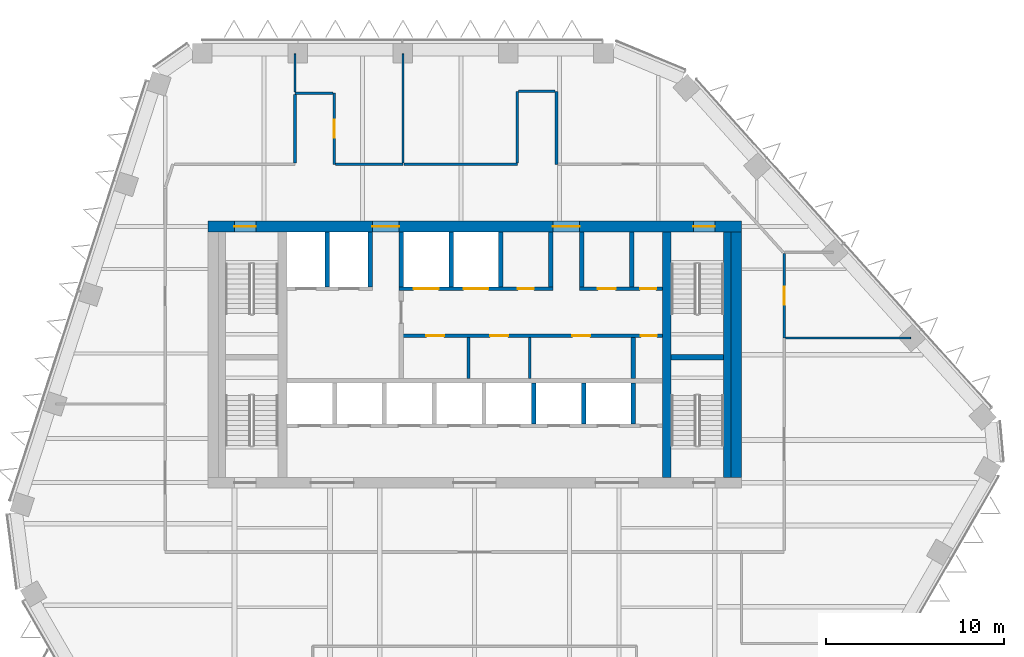
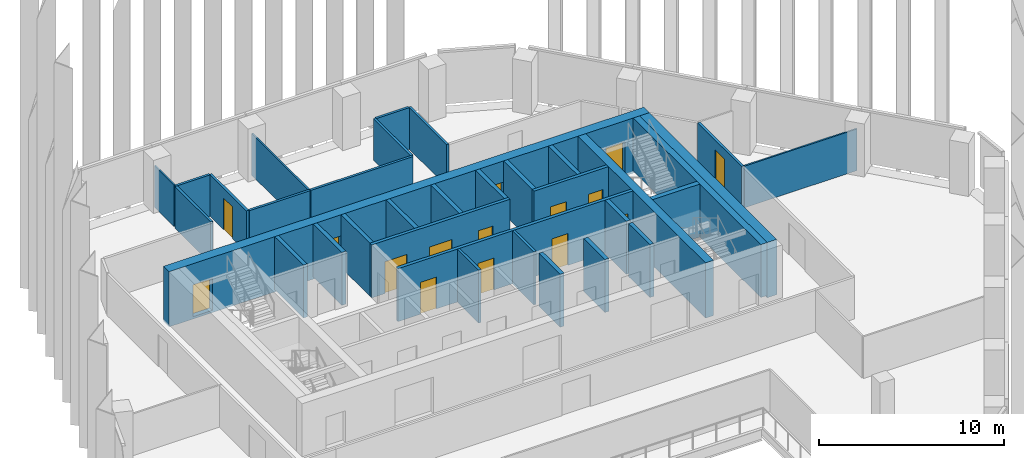
# One storey, part 10 of 18: 34 walls, 15 doors, 15 openings.
"""IFC4 building model written with IfcOpenShell, lengths in metres."""

from ifc_helpers import new_model, si_unit, direction, frame, frame_2d, origin, place, context, subcontext, project, spatial, rectangle, extrude, material, layer, layer_set, type_object, element, fill, save


model = new_model("IFC4")

# Units and contexts
model_context = context("Model", 3, precision=1e-05, world=origin(), true_north=direction((0.0, 1.0)))
body_context = subcontext(model_context, "Body", "Model", "MODEL_VIEW")
ifc_project = project(units=[si_unit("LENGTHUNIT", "METRE"), si_unit("AREAUNIT", "SQUARE_METRE"), si_unit("VOLUMEUNIT", "CUBIC_METRE"), si_unit("PLANEANGLEUNIT", "RADIAN"), si_unit("MASSUNIT", "GRAM", prefix="KILO")], contexts=[model_context])

# Site, building, storey
site_placement = place(None, origin())
site = spatial("IfcSite", under=ifc_project, at=site_placement, CompositionType="ELEMENT")
building_placement = place(site_placement, origin())
building = spatial("IfcBuilding", under=site, at=building_placement, Name="Isthmus Gate Tower", CompositionType="ELEMENT")
storey_placement = place(building_placement, frame((0.0, 0.0, 238.199951171875)))
storey = spatial("IfcBuildingStorey", under=building, at=storey_placement, Name="L60", CompositionType="ELEMENT", Elevation=238.199951171875)

# Wall, opening, door
ifc_material_1 = material(Name="Gypsum board on steel studs, fire-rated", Category="steel")
ifc_layer_1 = layer(ifc_material_1, 0.14990234375)
ifc_layer_set_1 = layer_set([ifc_layer_1], Name="CORRIDOR WALL 150 60 MIN")
wall_type_1 = type_object("IfcWallType", Name="CORRIDOR WALL 150 60 MIN", PredefinedType="PARTITIONING", material=ifc_layer_set_1)
wall_1_placement = place(storey_placement, frame((-7.89990234375, 22.199951171875, 0.0), z_axis=(0.0, 0.0, 1.0), x_axis=(0.0, -1.0, 0.0)))
wall_1 = element("IfcWall", 1, at=wall_1_placement, inside=storey, type_object=wall_type_1, Name="L60 Corridor Wall 150 60 Min", PredefinedType="PARTITIONING", context=body_context, shape_type="SweptSolid", body=[
    extrude(rectangle(XDim=4.0, YDim=0.14990234375, at=frame_2d((2.0, 0.0))), origin(), (0.0, 0.0, 1.0), 2.750732421875),
])
opening_1_placement = place(wall_1_placement, frame((1.5, 0.0, 0.0)))
opening_1 = element("IfcOpeningElement", 2, at=opening_1_placement, cuts=wall_1, Name="Opening DT-T5C-01", PredefinedType="OPENING", context=body_context, shape_type="SweptSolid", body=[
    extrude(rectangle(XDim=1.0, YDim=2.10009765625, at=frame_2d((0.5, 1.050048828125))), frame((0.0, 0.0849609375, 0.0), z_axis=(0.0, -1.0, 0.0), x_axis=(1.0, 0.0, 0.0)), (0.0, 0.0, 1.0), 0.169921875),
])
ifc_material_2 = material(Name="Solid core timber door leaf, fire-rated", Category="wood")
door_type_1 = type_object("IfcDoorType", Name="FIRE DOOR ROOM 1000 X 2100 60 MIN", OperationType="SINGLE_SWING_LEFT", PredefinedType="DOOR", material=ifc_material_2)
door_1_placement = place(opening_1_placement, origin())
door_1 = element("IfcDoor", 3, at=door_1_placement, inside=storey, type_object=door_type_1, Name="L60 room door", OperationType="SINGLE_SWING_RIGHT", OverallHeight=2.10009765625, OverallWidth=1.0, PredefinedType="DOOR", context=body_context, shape_type="SweptSolid", body=[
    extrude(rectangle(XDim=1.0, YDim=2.10009765625, at=frame_2d((0.5, 1.050048828125))), frame((0.0, 0.02490234375, 0.0), z_axis=(0.0, -1.0, 0.0), x_axis=(1.0, 0.0, 0.0)), (0.0, 0.0, 1.0), 0.050048828125),
])
fill(opening_1, door_1)

# Wall
wall_2_placement = place(storey_placement, frame((4.60009765625, 22.300048828125, 0.0), z_axis=(0.0, 0.0, 1.0), x_axis=(0.0, -1.0, 0.0)))
element("IfcWall", 4, at=wall_2_placement, inside=storey, type_object=wall_type_1, Name="L60 Corridor Wall 150 60 Min", PredefinedType="PARTITIONING", context=body_context, shape_type="SweptSolid", body=[
    extrude(rectangle(XDim=4.10009765625, YDim=0.14990234375, at=frame_2d((2.050048828125, 0.0))), origin(), (0.0, 0.0, 1.0), 2.750732421875),
])

# Wall, opening, door
wall_3_placement = place(storey_placement, frame((17.39990234375, 13.18603515625, 0.0), z_axis=(0.0, 0.0, 1.0), x_axis=(0.0, -1.0, 0.0)))
wall_3 = element("IfcWall", 5, at=wall_3_placement, inside=storey, type_object=wall_type_1, Name="L60 Corridor Wall 150 60 Min", PredefinedType="PARTITIONING", context=body_context, shape_type="SweptSolid", body=[
    extrude(rectangle(XDim=4.758056640625, YDim=0.14990234375, at=frame_2d((2.37890625, 0.0))), origin(), (0.0, 0.0, 1.0), 2.750732421875),
])
opening_2_placement = place(wall_3_placement, frame((1.87890625, 0.0, 0.0)))
opening_2 = element("IfcOpeningElement", 6, at=opening_2_placement, cuts=wall_3, Name="Opening DT-T5C-04", PredefinedType="OPENING", context=body_context, shape_type="SweptSolid", body=[
    extrude(rectangle(XDim=1.0, YDim=2.10009765625, at=frame_2d((0.5, 1.050048828125))), frame((0.0, 0.0849609375, 0.0), z_axis=(0.0, -1.0, 0.0), x_axis=(1.0, 0.0, 0.0)), (0.0, 0.0, 1.0), 0.169921875),
])
door_2_placement = place(opening_2_placement, origin())
door_2 = element("IfcDoor", 7, at=door_2_placement, inside=storey, type_object=door_type_1, Name="L60 room door", OperationType="SINGLE_SWING_RIGHT", OverallHeight=2.10009765625, OverallWidth=1.0, PredefinedType="DOOR", context=body_context, shape_type="SweptSolid", body=[
    extrude(rectangle(XDim=1.0, YDim=2.10009765625, at=frame_2d((0.5, 1.050048828125))), frame((0.0, 0.02490234375, 0.0), z_axis=(0.0, -1.0, 0.0), x_axis=(1.0, 0.0, 0.0)), (0.0, 0.0, 1.0), 0.050048828125),
])
fill(opening_2, door_2)

# Walls
wall_4_placement = place(storey_placement, frame((-10.10009765625, 22.199951171875, 0.0), z_axis=(0.0, 0.0, 1.0), x_axis=(1.0, 0.0, 0.0)))
element("IfcWall", 8, at=wall_4_placement, inside=storey, type_object=wall_type_1, Name="L60 Corridor Wall 150 60 Min", PredefinedType="PARTITIONING", context=body_context, shape_type="SweptSolid", body=[
    extrude(rectangle(XDim=2.125, YDim=0.14990234375, at=frame_2d((1.0625, 0.0))), origin(), (0.0, 0.0, 1.0), 2.750732421875),
])
wall_5_placement = place(storey_placement, frame((-7.824951171875, 18.199951171875, 0.0), z_axis=(0.0, 0.0, 1.0), x_axis=(1.0, 0.0, 0.0)))
element("IfcWall", 9, at=wall_5_placement, inside=storey, type_object=wall_type_1, Name="L60 Corridor Wall 150 60 Min", PredefinedType="PARTITIONING", context=body_context, shape_type="SweptSolid", body=[
    extrude(rectangle(XDim=3.794921875, YDim=0.14990234375, at=frame_2d((1.8974609375, 0.0))), origin(), (0.0, 0.0, 1.0), 2.750732421875),
])
wall_6_placement = place(storey_placement, frame((-10.10009765625, 18.27490234375, 0.0), z_axis=(0.0, 0.0, 1.0), x_axis=(0.0, 1.0, 0.0)))
element("IfcWall", 10, at=wall_6_placement, inside=storey, type_object=wall_type_1, Name="L60 Corridor Wall 150 60 Min", PredefinedType="PARTITIONING", context=body_context, shape_type="SweptSolid", body=[
    extrude(rectangle(XDim=3.85009765625, YDim=0.14990234375, at=frame_2d((1.925048828125, 0.0))), origin(), (0.0, 0.0, 1.0), 2.750732421875),
])
wall_7_placement = place(storey_placement, frame((-3.97998046875, 18.199951171875, 0.0), z_axis=(0.0, 0.0, 1.0), x_axis=(1.0, 0.0, 0.0)))
element("IfcWall", 11, at=wall_7_placement, inside=storey, type_object=wall_type_1, Name="L60 Corridor Wall 150 60 Min", PredefinedType="PARTITIONING", context=body_context, shape_type="SweptSolid", body=[
    extrude(rectangle(XDim=6.3798828125, YDim=0.14990234375, at=frame_2d((3.18994140625, 0.0))), origin(), (0.0, 0.0, 1.0), 2.750732421875),
])
wall_8_placement = place(storey_placement, frame((2.39990234375, 18.27490234375, 0.0), z_axis=(0.0, 0.0, 1.0), x_axis=(0.0, 1.0, 0.0)))
element("IfcWall", 12, at=wall_8_placement, inside=storey, type_object=wall_type_1, Name="L60 Corridor Wall 150 60 Min", PredefinedType="PARTITIONING", context=body_context, shape_type="SweptSolid", body=[
    extrude(rectangle(XDim=4.025146484375, YDim=0.14990234375, at=frame_2d((2.0126953125, 0.0))), origin(), (0.0, 0.0, 1.0), 2.750732421875),
])
wall_9_placement = place(storey_placement, frame((2.47509765625, 22.300048828125, 0.0), z_axis=(0.0, 0.0, 1.0), x_axis=(1.0, 0.0, 0.0)))
element("IfcWall", 13, at=wall_9_placement, inside=storey, type_object=wall_type_1, Name="L60 Corridor Wall 150 60 Min", PredefinedType="PARTITIONING", context=body_context, shape_type="SweptSolid", body=[
    extrude(rectangle(XDim=2.0498046875, YDim=0.14990234375, at=frame_2d((1.02490234375, 0.0))), origin(), (0.0, 0.0, 1.0), 2.750732421875),
])
ifc_material_3 = material(Name="Concrete f'c 50 MPa", Category="concrete")
ifc_layer_2 = layer(ifc_material_3, 0.5)
ifc_layer_set_2 = layer_set([ifc_layer_2], Name="RC CORE SPINE WALL 500 F'C 50")
wall_type_2 = type_object("IfcWallType", Name="RC CORE SPINE WALL 500 F'C 50", PredefinedType="SOLIDWALL", material=ifc_layer_set_2)
wall_10_placement = place(storey_placement, frame((10.800048828125, 0.60009765625, -0.14990234375), z_axis=(0.0, 0.0, 1.0), x_axis=(0.0, 1.0, 0.0)))
element("IfcWall", 14, at=wall_10_placement, inside=storey, type_object=wall_type_2, Name="str-corewall-L60-SPE", PredefinedType="SOLIDWALL", context=body_context, shape_type="SweptSolid", body=[
    extrude(rectangle(XDim=13.7998046875, YDim=0.5, at=frame_2d((6.89990234375, 0.0))), origin(), (0.0, 0.0, 1.0), 3.64990234375),
])

# Wall, openings, doors
ifc_material_4 = material(Name="Concrete f'c 50 MPa", Category="concrete")
ifc_layer_3 = layer(ifc_material_4, 0.60009765625)
ifc_layer_set_3 = layer_set([ifc_layer_3], Name="RC CORE WALL 600 F'C 50")
wall_type_3 = type_object("IfcWallType", Name="RC CORE WALL 600 F'C 50", PredefinedType="SOLIDWALL", material=ifc_layer_set_3)
wall_11_placement = place(storey_placement, frame((-15.0, 14.699951171875, -0.14990234375), z_axis=(0.0, 0.0, 1.0), x_axis=(1.0, 0.0, 0.0)))
wall_11 = element("IfcWall", 15, at=wall_11_placement, inside=storey, type_object=wall_type_3, Name="str-corewall-L60-N", PredefinedType="SOLIDWALL", context=body_context, shape_type="SweptSolid", body=[
    extrude(rectangle(XDim=30.0, YDim=0.60009765625, at=frame_2d((15.0, 0.0))), origin(), (0.0, 0.0, 1.0), 3.64990234375),
])
opening_3_placement = place(wall_11_placement, frame((9.25, 0.0, 0.14990234375)))
opening_3 = element("IfcOpeningElement", 16, at=opening_3_placement, cuts=wall_11, Name="Opening DC-A18-13", PredefinedType="OPENING", context=body_context, shape_type="SweptSolid", body=[
    extrude(rectangle(XDim=1.5, YDim=2.10009765625, at=frame_2d((0.75, 1.050048828125))), frame((0.0, 0.31005859375, 0.0), z_axis=(0.0, -1.0, 0.0), x_axis=(1.0, 0.0, 0.0)), (0.0, 0.0, 1.0), 0.6201171875),
])
opening_4_placement = place(wall_11_placement, frame((19.39990234375, 0.0, 0.14990234375)))
opening_4 = element("IfcOpeningElement", 17, at=opening_4_placement, cuts=wall_11, Name="Opening DC-A18-14", PredefinedType="OPENING", context=body_context, shape_type="SweptSolid", body=[
    extrude(rectangle(XDim=1.5, YDim=2.10009765625, at=frame_2d((0.75, 1.050048828125))), frame((0.0, 0.31005859375, 0.0), z_axis=(0.0, -1.0, 0.0), x_axis=(1.0, 0.0, 0.0)), (0.0, 0.0, 1.0), 0.6201171875),
])
opening_5_placement = place(wall_11_placement, frame((1.5, 0.0, 0.14990234375)))
opening_5 = element("IfcOpeningElement", 18, at=opening_5_placement, cuts=wall_11, Name="Opening DC-A18-15", PredefinedType="OPENING", context=body_context, shape_type="SweptSolid", body=[
    extrude(rectangle(XDim=1.199951171875, YDim=2.10009765625, at=frame_2d((0.60009765625, 1.050048828125))), frame((0.0, 0.31005859375, 0.0), z_axis=(0.0, -1.0, 0.0), x_axis=(1.0, 0.0, 0.0)), (0.0, 0.0, 1.0), 0.6201171875),
])
opening_6_placement = place(wall_11_placement, frame((27.300048828125, 0.0, 0.14990234375)))
opening_6 = element("IfcOpeningElement", 19, at=opening_6_placement, cuts=wall_11, Name="Opening DC-A18-16", PredefinedType="OPENING", context=body_context, shape_type="SweptSolid", body=[
    extrude(rectangle(XDim=1.199951171875, YDim=2.10009765625, at=frame_2d((0.60009765625, 1.050048828125))), frame((0.0, 0.31005859375, 0.0), z_axis=(0.0, -1.0, 0.0), x_axis=(1.0, 0.0, 0.0)), (0.0, 0.0, 1.0), 0.6201171875),
])
ifc_material_5 = material(Name="Steel door leaf, fire-rated", Category="steel")
door_type_2 = type_object("IfcDoorType", Name="LOBBY FIRE DOOR 1500 X 2100 60 MIN", OperationType="DOUBLE_DOOR_SINGLE_SWING", PredefinedType="DOOR", material=ifc_material_5)
door_3_placement = place(opening_4_placement, origin())
door_3 = element("IfcDoor", 20, at=door_3_placement, inside=storey, type_object=door_type_2, Name="Lobby Door PN-E", OperationType="DOUBLE_DOOR_SINGLE_SWING", OverallHeight=2.10009765625, OverallWidth=1.5, PredefinedType="DOOR", context=body_context, shape_type="SweptSolid", body=[
    extrude(rectangle(XDim=1.5, YDim=2.10009765625, at=frame_2d((0.75, 1.050048828125))), frame((0.0, 0.02490234375, 0.0), z_axis=(0.0, -1.0, 0.0), x_axis=(1.0, 0.0, 0.0)), (0.0, 0.0, 1.0), 0.050048828125),
])
fill(opening_4, door_3)
ifc_material_6 = material(Name="Steel door leaf, fire-rated", Category="steel")
door_type_3 = type_object("IfcDoorType", Name="LOBBY FIRE DOOR 1500 X 2100 90 MIN", OperationType="DOUBLE_DOOR_SINGLE_SWING", PredefinedType="DOOR", material=ifc_material_6)
door_4_placement = place(opening_3_placement, origin())
door_4 = element("IfcDoor", 21, at=door_4_placement, inside=storey, type_object=door_type_3, Name="Lobby Door PN-W", OperationType="DOUBLE_DOOR_SINGLE_SWING", OverallHeight=2.10009765625, OverallWidth=1.5, PredefinedType="DOOR", context=body_context, shape_type="SweptSolid", body=[
    extrude(rectangle(XDim=1.5, YDim=2.10009765625, at=frame_2d((0.75, 1.050048828125))), frame((0.0, 0.02490234375, 0.0), z_axis=(0.0, -1.0, 0.0), x_axis=(1.0, 0.0, 0.0)), (0.0, 0.0, 1.0), 0.050048828125),
])
fill(opening_3, door_4)
ifc_material_7 = material(Name="Steel door leaf, fire-rated", Category="steel")
door_type_4 = type_object("IfcDoorType", Name="STAIR FIRE DOOR 1200 X 2100 90 MIN", OperationType="SINGLE_SWING_LEFT", PredefinedType="DOOR", material=ifc_material_7)
door_5_placement = place(opening_5_placement, origin())
door_5 = element("IfcDoor", 22, at=door_5_placement, inside=storey, type_object=door_type_4, Name="Exit Stair 1 Door", OperationType="SINGLE_SWING_RIGHT", OverallHeight=2.10009765625, OverallWidth=1.199951171875, PredefinedType="DOOR", context=body_context, shape_type="SweptSolid", body=[
    extrude(rectangle(XDim=1.199951171875, YDim=2.10009765625, at=frame_2d((0.60009765625, 1.050048828125))), frame((0.0, 0.02490234375, 0.0), z_axis=(0.0, -1.0, 0.0), x_axis=(1.0, 0.0, 0.0)), (0.0, 0.0, 1.0), 0.050048828125),
])
fill(opening_5, door_5)
door_6_placement = place(opening_6_placement, origin())
door_6 = element("IfcDoor", 23, at=door_6_placement, inside=storey, type_object=door_type_4, Name="Exit Stair 2 Door", OperationType="SINGLE_SWING_LEFT", OverallHeight=2.10009765625, OverallWidth=1.199951171875, PredefinedType="DOOR", context=body_context, shape_type="SweptSolid", body=[
    extrude(rectangle(XDim=1.199951171875, YDim=2.10009765625, at=frame_2d((0.60009765625, 1.050048828125))), frame((0.0, 0.02490234375, 0.0), z_axis=(0.0, -1.0, 0.0), x_axis=(1.0, 0.0, 0.0)), (0.0, 0.0, 1.0), 0.050048828125),
])
fill(opening_6, door_6)

# Walls
wall_12_placement = place(storey_placement, frame((14.699951171875, 0.60009765625, -0.14990234375), z_axis=(0.0, 0.0, 1.0), x_axis=(0.0, 1.0, 0.0)))
element("IfcWall", 24, at=wall_12_placement, inside=storey, type_object=wall_type_3, Name="str-corewall-L60-E", PredefinedType="SOLIDWALL", context=body_context, shape_type="SweptSolid", body=[
    extrude(rectangle(XDim=13.7998046875, YDim=0.60009765625, at=frame_2d((6.89990234375, 0.0))), origin(), (0.0, 0.0, 1.0), 3.64990234375),
])
ifc_material_8 = material(Name="Gypsum board on steel studs, fire-rated", Category="steel")
ifc_layer_4 = layer(ifc_material_8, 0.10009765625)
ifc_layer_set_4 = layer_set([ifc_layer_4], Name="ROOM PARTITION 100 30 MIN")
wall_type_4 = type_object("IfcWallType", Name="ROOM PARTITION 100 30 MIN", PredefinedType="PARTITIONING", material=ifc_layer_set_4)
wall_13_placement = place(storey_placement, frame((-4.030029296875, 18.27490234375, 0.0), z_axis=(0.0, 0.0, 1.0), x_axis=(0.0, 1.0, 0.0)))
element("IfcWall", 25, at=wall_13_placement, inside=storey, type_object=wall_type_4, Name="L60 Room Partition 100 30 Min", PredefinedType="PARTITIONING", context=body_context, shape_type="SweptSolid", body=[
    extrude(rectangle(XDim=6.125, YDim=0.10009765625, at=frame_2d((3.0625, 0.0))), origin(), (0.0, 0.0, 1.0), 2.750732421875),
])
wall_14_placement = place(storey_placement, frame((-10.101806640625, 22.27490234375, 0.0), z_axis=(0.0, 0.0, 1.0), x_axis=(0.000804227681, 0.999999676609, 0.0)))
element("IfcWall", 26, at=wall_14_placement, inside=storey, type_object=wall_type_4, Name="L60 Room Partition 100 30 Min", PredefinedType="PARTITIONING", context=body_context, shape_type="SweptSolid", body=[
    extrude(rectangle(XDim=2.125, YDim=0.10009765625, at=frame_2d((1.0625, 0.0))), origin(), (0.0, 0.0, 1.0), 2.750732421875),
])
wall_15_placement = place(storey_placement, frame((17.47509765625, 8.427978515625, 0.0), z_axis=(0.0, 0.0, 1.0), x_axis=(1.0, 0.0, 0.0)))
element("IfcWall", 27, at=wall_15_placement, inside=storey, type_object=wall_type_4, Name="L60 Room Partition 100 30 Min", PredefinedType="PARTITIONING", context=body_context, shape_type="SweptSolid", body=[
    extrude(rectangle(XDim=7.034912109375, YDim=0.10009765625, at=frame_2d((3.517578125, 0.0))), origin(), (0.0, 0.0, 1.0), 2.750732421875),
])
ifc_material_9 = material(Name="Gypsum board on steel studs, fire-rated", Category="steel")
ifc_layer_5 = layer(ifc_material_9, 0.14990234375)
ifc_layer_set_5 = layer_set([ifc_layer_5], Name="ROOM PARTITION 150 60 MIN")
wall_type_5 = type_object("IfcWallType", Name="ROOM PARTITION 150 60 MIN", PredefinedType="PARTITIONING", material=ifc_layer_set_5)
for number, where, z_axis, x_axis, name in (
    (28, (-0.35009765625, 6.14990234375, 0.0), (0.0, 0.0, 1.0), (0.0, 1.0, 0.0), "L60 ROOM PARTITION 150 60 MIN"),
    (29, (3.10009765625, 6.14990234375, 0.0), (0.0, 0.0, 1.0), (0.0, 1.0, 0.0), "L60 ROOM PARTITION 150 60 MIN"),
):
    element("IfcWall", number, at=place(storey_placement, frame(where, z_axis=z_axis, x_axis=x_axis)), inside=storey, type_object=wall_type_5, Name=name, PredefinedType="PARTITIONING", context=body_context, shape_type="SweptSolid", body=[
        extrude(rectangle(XDim=2.300048828125, YDim=0.14990234375, at=frame_2d((1.14990234375, 0.0))), origin(), (0.0, 0.0, 1.0), 3.5),
    ])

# Wall, openings, doors
ifc_material_10 = material(Name="Fire-rated blockwork masonry, 15 MPa", Category="masonry")
ifc_layer_6 = layer(ifc_material_10, 0.199951171875)
ifc_layer_set_6 = layer_set([ifc_layer_6], Name="SHAFT FRONT WALL 200 120 MIN")
wall_type_6 = type_object("IfcWallType", Name="SHAFT FRONT WALL 200 120 MIN", PredefinedType="PARTITIONING", material=ifc_layer_set_6)
wall_16_placement = place(storey_placement, frame((-4.125, 8.550048828125, 0.0), z_axis=(0.0, 0.0, 1.0), x_axis=(1.0, 0.0, 0.0)))
wall_16 = element("IfcWall", 30, at=wall_16_placement, inside=storey, type_object=wall_type_6, Name="L60 SHAFT FRONT WALL 200 120 MIN", PredefinedType="PARTITIONING", context=body_context, shape_type="SweptSolid", body=[
    extrude(rectangle(XDim=14.675048828125, YDim=0.199951171875, at=frame_2d((7.33740234375, 0.0))), origin(), (0.0, 0.0, 1.0), 3.5),
])
opening_7_placement = place(wall_16_placement, frame((1.41259765625, 0.0, 0.0)))
opening_7 = element("IfcOpeningElement", 31, at=opening_7_placement, cuts=wall_16, Name="Opening DC-A18-03", PredefinedType="OPENING", context=body_context, shape_type="SweptSolid", body=[
    extrude(rectangle(XDim=1.0, YDim=2.10009765625, at=frame_2d((0.5, 1.050048828125))), frame((0.0, 0.10986328125, 0.0), z_axis=(0.0, -1.0, 0.0), x_axis=(1.0, 0.0, 0.0)), (0.0, 0.0, 1.0), 0.219970703125),
])
opening_8_placement = place(wall_16_placement, frame((5.0, 0.0, 0.0)))
opening_8 = element("IfcOpeningElement", 32, at=opening_8_placement, cuts=wall_16, Name="Opening DC-A18-04", PredefinedType="OPENING", context=body_context, shape_type="SweptSolid", body=[
    extrude(rectangle(XDim=1.0, YDim=2.10009765625, at=frame_2d((0.5, 1.050048828125))), frame((0.0, 0.10986328125, 0.0), z_axis=(0.0, -1.0, 0.0), x_axis=(1.0, 0.0, 0.0)), (0.0, 0.0, 1.0), 0.219970703125),
])
opening_9_placement = place(wall_16_placement, frame((9.612548828125, 0.0, 0.0)))
opening_9 = element("IfcOpeningElement", 33, at=opening_9_placement, cuts=wall_16, Name="Opening DC-A18-05", PredefinedType="OPENING", context=body_context, shape_type="SweptSolid", body=[
    extrude(rectangle(XDim=1.0, YDim=2.10009765625, at=frame_2d((0.5, 1.050048828125))), frame((0.0, 0.10986328125, 0.0), z_axis=(0.0, -1.0, 0.0), x_axis=(1.0, 0.0, 0.0)), (0.0, 0.0, 1.0), 0.219970703125),
])
opening_10_placement = place(wall_16_placement, frame((13.47509765625, 0.0, 0.0)))
opening_10 = element("IfcOpeningElement", 34, at=opening_10_placement, cuts=wall_16, Name="Opening DC-A18-06", PredefinedType="OPENING", context=body_context, shape_type="SweptSolid", body=[
    extrude(rectangle(XDim=0.89990234375, YDim=2.10009765625, at=frame_2d((0.449951171875, 1.050048828125))), frame((0.0, 0.10986328125, 0.0), z_axis=(0.0, -1.0, 0.0), x_axis=(1.0, 0.0, 0.0)), (0.0, 0.0, 1.0), 0.219970703125),
])
ifc_material_11 = material(Name="Steel door leaf, fire-rated", Category="steel")
door_type_5 = type_object("IfcDoorType", Name="FIRE DOOR 1000 X 2100 60 MIN", OperationType="SINGLE_SWING_LEFT", PredefinedType="DOOR", material=ifc_material_11)
door_7_placement = place(opening_7_placement, origin())
door_7 = element("IfcDoor", 35, at=door_7_placement, inside=storey, type_object=door_type_5, Name="WC Women Door", OperationType="SINGLE_SWING_LEFT", OverallHeight=2.10009765625, OverallWidth=1.0, PredefinedType="DOOR", context=body_context, shape_type="SweptSolid", body=[
    extrude(rectangle(XDim=1.0, YDim=2.10009765625, at=frame_2d((0.5, 1.050048828125))), frame((0.0, 0.02490234375, 0.0), z_axis=(0.0, -1.0, 0.0), x_axis=(1.0, 0.0, 0.0)), (0.0, 0.0, 1.0), 0.050048828125),
])
fill(opening_7, door_7)
door_8_placement = place(opening_8_placement, origin())
door_8 = element("IfcDoor", 36, at=door_8_placement, inside=storey, type_object=door_type_5, Name="WC Men Door", OperationType="SINGLE_SWING_RIGHT", OverallHeight=2.10009765625, OverallWidth=1.0, PredefinedType="DOOR", context=body_context, shape_type="SweptSolid", body=[
    extrude(rectangle(XDim=1.0, YDim=2.10009765625, at=frame_2d((0.5, 1.050048828125))), frame((0.0, 0.02490234375, 0.0), z_axis=(0.0, -1.0, 0.0), x_axis=(1.0, 0.0, 0.0)), (0.0, 0.0, 1.0), 0.050048828125),
])
fill(opening_8, door_8)
door_9_placement = place(opening_9_placement, origin())
door_9 = element("IfcDoor", 37, at=door_9_placement, inside=storey, type_object=door_type_5, Name="Accessible WC Door", OperationType="SINGLE_SWING_LEFT", OverallHeight=2.10009765625, OverallWidth=1.0, PredefinedType="DOOR", context=body_context, shape_type="SweptSolid", body=[
    extrude(rectangle(XDim=1.0, YDim=2.10009765625, at=frame_2d((0.5, 1.050048828125))), frame((0.0, 0.02490234375, 0.0), z_axis=(0.0, -1.0, 0.0), x_axis=(1.0, 0.0, 0.0)), (0.0, 0.0, 1.0), 0.050048828125),
])
fill(opening_9, door_9)
ifc_material_12 = material(Name="Steel door leaf, fire-rated", Category="steel")
door_type_6 = type_object("IfcDoorType", Name="RISER FIRE DOOR 900 X 2100 90 MIN", OperationType="SINGLE_SWING_LEFT", PredefinedType="DOOR", material=ifc_material_12)
door_10_placement = place(opening_10_placement, origin())
door_10 = element("IfcDoor", 38, at=door_10_placement, inside=storey, type_object=door_type_6, Name="Riser Door", OperationType="SINGLE_SWING_RIGHT", OverallHeight=2.10009765625, OverallWidth=0.89990234375, PredefinedType="DOOR", context=body_context, shape_type="SweptSolid", body=[
    extrude(rectangle(XDim=0.89990234375, YDim=2.10009765625, at=frame_2d((0.449951171875, 1.050048828125))), frame((0.0, 0.02490234375, 0.0), z_axis=(0.0, -1.0, 0.0), x_axis=(1.0, 0.0, 0.0)), (0.0, 0.0, 1.0), 0.050048828125),
])
fill(opening_10, door_10)

wall_17_placement = place(storey_placement, frame((-4.25, 11.199951171875, 0.0), z_axis=(0.0, 0.0, 1.0), x_axis=(1.0, 0.0, 0.0)))
wall_17 = element("IfcWall", 39, at=wall_17_placement, inside=storey, type_object=wall_type_6, Name="L60 SHAFT FRONT WALL 200 120 MIN", PredefinedType="PARTITIONING", context=body_context, shape_type="SweptSolid", body=[
    extrude(rectangle(XDim=8.64990234375, YDim=0.199951171875, at=frame_2d((4.324951171875, 0.0))), origin(), (0.0, 0.0, 1.0), 3.5),
])
opening_11_placement = place(wall_17_placement, frame((0.824951171875, 0.0, 0.0)))
opening_11 = element("IfcOpeningElement", 40, at=opening_11_placement, cuts=wall_17, Name="Opening LD-LV1", PredefinedType="OPENING", context=body_context, shape_type="SweptSolid", body=[
    extrude(rectangle(XDim=1.39990234375, YDim=2.10009765625, at=frame_2d((0.699951171875, 1.050048828125))), frame((0.0, 0.10986328125, 0.0), z_axis=(0.0, -1.0, 0.0), x_axis=(1.0, 0.0, 0.0)), (0.0, 0.0, 1.0), 0.219970703125),
])
opening_12_placement = place(wall_17_placement, frame((3.625, 0.0, 0.0)))
opening_12 = element("IfcOpeningElement", 41, at=opening_12_placement, cuts=wall_17, Name="Opening LD-LV2", PredefinedType="OPENING", context=body_context, shape_type="SweptSolid", body=[
    extrude(rectangle(XDim=1.39990234375, YDim=2.10009765625, at=frame_2d((0.699951171875, 1.050048828125))), frame((0.0, 0.10986328125, 0.0), z_axis=(0.0, -1.0, 0.0), x_axis=(1.0, 0.0, 0.0)), (0.0, 0.0, 1.0), 0.219970703125),
])
opening_13_placement = place(wall_17_placement, frame((6.675048828125, 0.0, 0.0)))
opening_13 = element("IfcOpeningElement", 42, at=opening_13_placement, cuts=wall_17, Name="Opening DC-A18-07", PredefinedType="OPENING", context=body_context, shape_type="SweptSolid", body=[
    extrude(rectangle(XDim=0.89990234375, YDim=2.10009765625, at=frame_2d((0.449951171875, 1.050048828125))), frame((0.0, 0.10986328125, 0.0), z_axis=(0.0, -1.0, 0.0), x_axis=(1.0, 0.0, 0.0)), (0.0, 0.0, 1.0), 0.219970703125),
])
ifc_material_13 = material(Name="Steel door leaf, fire-rated", Category="steel")
door_type_7 = type_object("IfcDoorType", Name="FIRE DOOR 900 X 2100 60 MIN", OperationType="SINGLE_SWING_LEFT", PredefinedType="DOOR", material=ifc_material_13)
door_11_placement = place(opening_13_placement, origin())
door_11 = element("IfcDoor", 43, at=door_11_placement, inside=storey, type_object=door_type_7, Name="Cleaner Store Door", OperationType="SINGLE_SWING_LEFT", OverallHeight=2.10009765625, OverallWidth=0.89990234375, PredefinedType="DOOR", context=body_context, shape_type="SweptSolid", body=[
    extrude(rectangle(XDim=0.89990234375, YDim=2.10009765625, at=frame_2d((0.449951171875, 1.050048828125))), frame((0.0, 0.02490234375, 0.0), z_axis=(0.0, -1.0, 0.0), x_axis=(1.0, 0.0, 0.0)), (0.0, 0.0, 1.0), 0.050048828125),
])
fill(opening_13, door_11)
ifc_material_14 = material(Name="Stainless steel sliding leaf", Category="steel")
door_type_8 = type_object("IfcDoorType", Name="LIFT LANDING FIRE DOOR 1400 X 2100 90 MIN", OperationType="DOUBLE_DOOR_SLIDING", PredefinedType="DOOR", material=ifc_material_14)
door_12_placement = place(opening_11_placement, origin())
door_12 = element("IfcDoor", 44, at=door_12_placement, inside=storey, type_object=door_type_8, Name="Lift Landing Door LV1", OperationType="DOUBLE_DOOR_SLIDING", OverallHeight=2.10009765625, OverallWidth=1.39990234375, PredefinedType="DOOR", context=body_context, shape_type="SweptSolid", body=[
    extrude(rectangle(XDim=1.39990234375, YDim=2.10009765625, at=frame_2d((0.699951171875, 1.050048828125))), frame((0.0, 0.02490234375, 0.0), z_axis=(0.0, -1.0, 0.0), x_axis=(1.0, 0.0, 0.0)), (0.0, 0.0, 1.0), 0.050048828125),
])
fill(opening_11, door_12)
door_13_placement = place(opening_12_placement, origin())
door_13 = element("IfcDoor", 45, at=door_13_placement, inside=storey, type_object=door_type_8, Name="Lift Landing Door LV2", OperationType="DOUBLE_DOOR_SLIDING", OverallHeight=2.10009765625, OverallWidth=1.39990234375, PredefinedType="DOOR", context=body_context, shape_type="SweptSolid", body=[
    extrude(rectangle(XDim=1.39990234375, YDim=2.10009765625, at=frame_2d((0.699951171875, 1.050048828125))), frame((0.0, 0.02490234375, 0.0), z_axis=(0.0, -1.0, 0.0), x_axis=(1.0, 0.0, 0.0)), (0.0, 0.0, 1.0), 0.050048828125),
])
fill(opening_12, door_13)

wall_18_placement = place(storey_placement, frame((5.89990234375, 11.199951171875, 0.0), z_axis=(0.0, 0.0, 1.0), x_axis=(1.0, 0.0, 0.0)))
wall_18 = element("IfcWall", 46, at=wall_18_placement, inside=storey, type_object=wall_type_6, Name="L60 SHAFT FRONT WALL 200 120 MIN", PredefinedType="PARTITIONING", context=body_context, shape_type="SweptSolid", body=[
    extrude(rectangle(XDim=4.650146484375, YDim=0.199951171875, at=frame_2d((2.3251953125, 0.0))), origin(), (0.0, 0.0, 1.0), 3.5),
])
opening_14_placement = place(wall_18_placement, frame((1.02490234375, 0.0, 0.0)))
opening_14 = element("IfcOpeningElement", 47, at=opening_14_placement, cuts=wall_18, Name="Opening DC-A18-08", PredefinedType="OPENING", context=body_context, shape_type="SweptSolid", body=[
    extrude(rectangle(XDim=1.0, YDim=2.10009765625, at=frame_2d((0.5, 1.050048828125))), frame((0.0, 0.10986328125, 0.0), z_axis=(0.0, -1.0, 0.0), x_axis=(1.0, 0.0, 0.0)), (0.0, 0.0, 1.0), 0.219970703125),
])
opening_15_placement = place(wall_18_placement, frame((3.39990234375, 0.0, 0.0)))
opening_15 = element("IfcOpeningElement", 48, at=opening_15_placement, cuts=wall_18, Name="Opening DC-A18-09", PredefinedType="OPENING", context=body_context, shape_type="SweptSolid", body=[
    extrude(rectangle(XDim=0.89990234375, YDim=2.10009765625, at=frame_2d((0.449951171875, 1.050048828125))), frame((0.0, 0.10986328125, 0.0), z_axis=(0.0, -1.0, 0.0), x_axis=(1.0, 0.0, 0.0)), (0.0, 0.0, 1.0), 0.219970703125),
])
door_14_placement = place(opening_14_placement, origin())
door_14 = element("IfcDoor", 49, at=door_14_placement, inside=storey, type_object=door_type_5, Name="Pantry Door", OperationType="SINGLE_SWING_RIGHT", OverallHeight=2.10009765625, OverallWidth=1.0, PredefinedType="DOOR", context=body_context, shape_type="SweptSolid", body=[
    extrude(rectangle(XDim=1.0, YDim=2.10009765625, at=frame_2d((0.5, 1.050048828125))), frame((0.0, 0.02490234375, 0.0), z_axis=(0.0, -1.0, 0.0), x_axis=(1.0, 0.0, 0.0)), (0.0, 0.0, 1.0), 0.050048828125),
])
fill(opening_14, door_14)
door_15_placement = place(opening_15_placement, origin())
door_15 = element("IfcDoor", 50, at=door_15_placement, inside=storey, type_object=door_type_6, Name="Riser Door", OperationType="SINGLE_SWING_LEFT", OverallHeight=2.10009765625, OverallWidth=0.89990234375, PredefinedType="DOOR", context=body_context, shape_type="SweptSolid", body=[
    extrude(rectangle(XDim=0.89990234375, YDim=2.10009765625, at=frame_2d((0.449951171875, 1.050048828125))), frame((0.0, 0.02490234375, 0.0), z_axis=(0.0, -1.0, 0.0), x_axis=(1.0, 0.0, 0.0)), (0.0, 0.0, 1.0), 0.050048828125),
])
fill(opening_15, door_15)

# Walls
ifc_material_15 = material(Name="Fire-rated blockwork masonry, 15 MPa", Category="masonry")
ifc_layer_7 = layer(ifc_material_15, 0.25)
ifc_layer_set_7 = layer_set([ifc_layer_7], Name="SHAFT WALL 250 120 MIN")
wall_type_7 = type_object("IfcWallType", Name="SHAFT WALL 250 120 MIN", PredefinedType="PARTITIONING", material=ifc_layer_set_7)
for number, where, z_axis, x_axis, name in (
    (51, (3.324951171875, 3.60009765625, 0.0), (0.0, 0.0, 1.0), (0.0, 1.0, 0.0), "L60 SHAFT WALL 250 120 MIN"),
    (52, (6.125, 3.60009765625, 0.0), (0.0, 0.0, 1.0), (0.0, 1.0, 0.0), "L60 SHAFT WALL 250 120 MIN"),
    (53, (8.925048828125, 3.60009765625, 0.0), (0.0, 0.0, 1.0), (0.0, 1.0, 0.0), "L60 SHAFT WALL 250 120 MIN"),
):
    element("IfcWall", number, at=place(storey_placement, frame(where, z_axis=z_axis, x_axis=x_axis)), inside=storey, type_object=wall_type_7, Name=name, PredefinedType="PARTITIONING", context=body_context, shape_type="SweptSolid", body=[
        extrude(rectangle(XDim=2.2998046875, YDim=0.25, at=frame_2d((1.14990234375, 0.0))), origin(), (0.0, 0.0, 1.0), 3.5),
    ])
wall_19_placement = place(storey_placement, frame((8.925048828125, 6.14990234375, 0.0), z_axis=(0.0, 0.0, 1.0), x_axis=(0.0, 1.0, 0.0)))
element("IfcWall", 54, at=wall_19_placement, inside=storey, type_object=wall_type_7, Name="L60 SHAFT WALL 250 120 MIN", PredefinedType="PARTITIONING", context=body_context, shape_type="SweptSolid", body=[
    extrude(rectangle(XDim=2.300048828125, YDim=0.25, at=frame_2d((1.14990234375, 0.0))), origin(), (0.0, 0.0, 1.0), 3.5),
])
for number, where, z_axis, x_axis, name in (
    (55, (-8.27490234375, 11.300048828125, 0.0), (0.0, 0.0, 1.0), (0.0, 1.0, 0.0), "L60 SHAFT WALL 250 120 MIN"),
    (56, (-5.875, 11.300048828125, 0.0), (0.0, 0.0, 1.0), (0.0, 1.0, 0.0), "L60 SHAFT WALL 250 120 MIN"),
    (57, (-4.125, 11.300048828125, 0.0), (0.0, 0.0, 1.0), (0.0, 1.0, 0.0), "L60 SHAFT WALL 250 120 MIN"),
    (58, (-1.324951171875, 11.300048828125, 0.0), (0.0, 0.0, 1.0), (0.0, 1.0, 0.0), "L60 SHAFT WALL 250 120 MIN"),
    (59, (1.47509765625, 11.300048828125, 0.0), (0.0, 0.0, 1.0), (0.0, 1.0, 0.0), "L60 SHAFT WALL 250 120 MIN"),
    (60, (4.27490234375, 11.300048828125, 0.0), (0.0, 0.0, 1.0), (0.0, 1.0, 0.0), "L60 SHAFT WALL 250 120 MIN"),
    (61, (6.02490234375, 11.300048828125, 0.0), (0.0, 0.0, 1.0), (0.0, 1.0, 0.0), "L60 SHAFT WALL 250 120 MIN"),
    (62, (8.824951171875, 11.300048828125, 0.0), (0.0, 0.0, 1.0), (0.0, 1.0, 0.0), "L60 SHAFT WALL 250 120 MIN"),
):
    element("IfcWall", number, at=place(storey_placement, frame(where, z_axis=z_axis, x_axis=x_axis)), inside=storey, type_object=wall_type_7, Name=name, PredefinedType="PARTITIONING", context=body_context, shape_type="SweptSolid", body=[
        extrude(rectangle(XDim=3.099853515625, YDim=0.25, at=frame_2d((1.5498046875, 0.0))), origin(), (0.0, 0.0, 1.0), 3.5),
    ])
ifc_material_16 = material(Name="Concrete f'c 40 MPa", Category="concrete")
ifc_layer_8 = layer(ifc_material_16, 0.300048828125)
ifc_layer_set_8 = layer_set([ifc_layer_8], Name="STAIR ENCLOSURE WALL 300 180 MIN")
wall_type_8 = type_object("IfcWallType", Name="STAIR ENCLOSURE WALL 300 180 MIN", PredefinedType="SOLIDWALL", material=ifc_layer_set_8)
wall_20_placement = place(storey_placement, frame((11.050048828125, 7.35009765625, 0.0), z_axis=(0.0, 0.0, 1.0), x_axis=(1.0, 0.0, 0.0)))
element("IfcWall", 63, at=wall_20_placement, inside=storey, type_object=wall_type_8, Name="L60 STAIR ENCLOSURE WALL 300 180 MIN", PredefinedType="SOLIDWALL", context=body_context, shape_type="SweptSolid", body=[
    extrude(rectangle(XDim=2.949951171875, YDim=0.300048828125, at=frame_2d((1.47509765625, 0.0))), origin(), (0.0, 0.0, 1.0), 3.5),
])
ifc_material_17 = material(Name="Concrete f'c 40 MPa", Category="concrete")
ifc_layer_9 = layer(ifc_material_17, 0.39990234375)
ifc_layer_set_9 = layer_set([ifc_layer_9], Name="STAIR ENCLOSURE WALL 400 180 MIN")
wall_type_9 = type_object("IfcWallType", Name="STAIR ENCLOSURE WALL 400 180 MIN", PredefinedType="SOLIDWALL", material=ifc_layer_set_9)
wall_21_placement = place(storey_placement, frame((14.199951171875, 0.60009765625, 0.0), z_axis=(0.0, 0.0, 1.0), x_axis=(0.0, 1.0, 0.0)))
element("IfcWall", 64, at=wall_21_placement, inside=storey, type_object=wall_type_9, Name="L60 STAIR ENCLOSURE WALL 400 180 MIN", PredefinedType="SOLIDWALL", context=body_context, shape_type="SweptSolid", body=[
    extrude(rectangle(XDim=13.7998046875, YDim=0.39990234375, at=frame_2d((6.89990234375, 0.0))), origin(), (0.0, 0.0, 1.0), 3.5),
])

save(model, "model.ifc")
